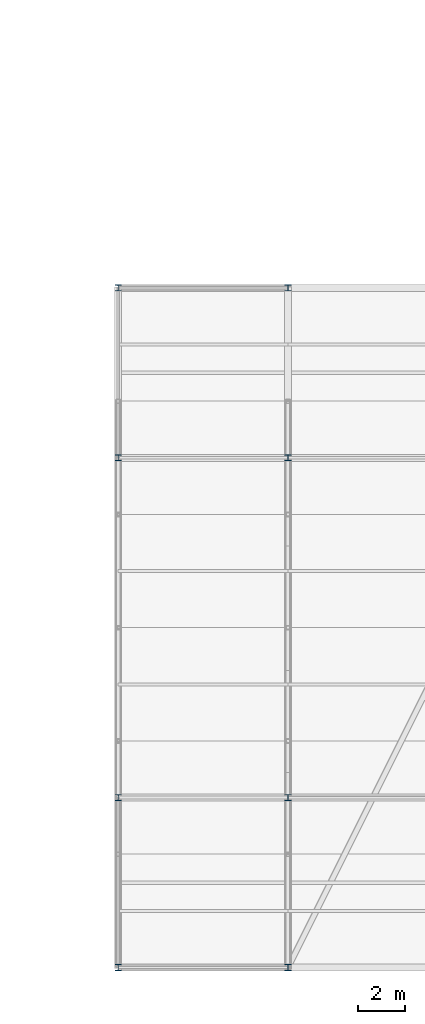
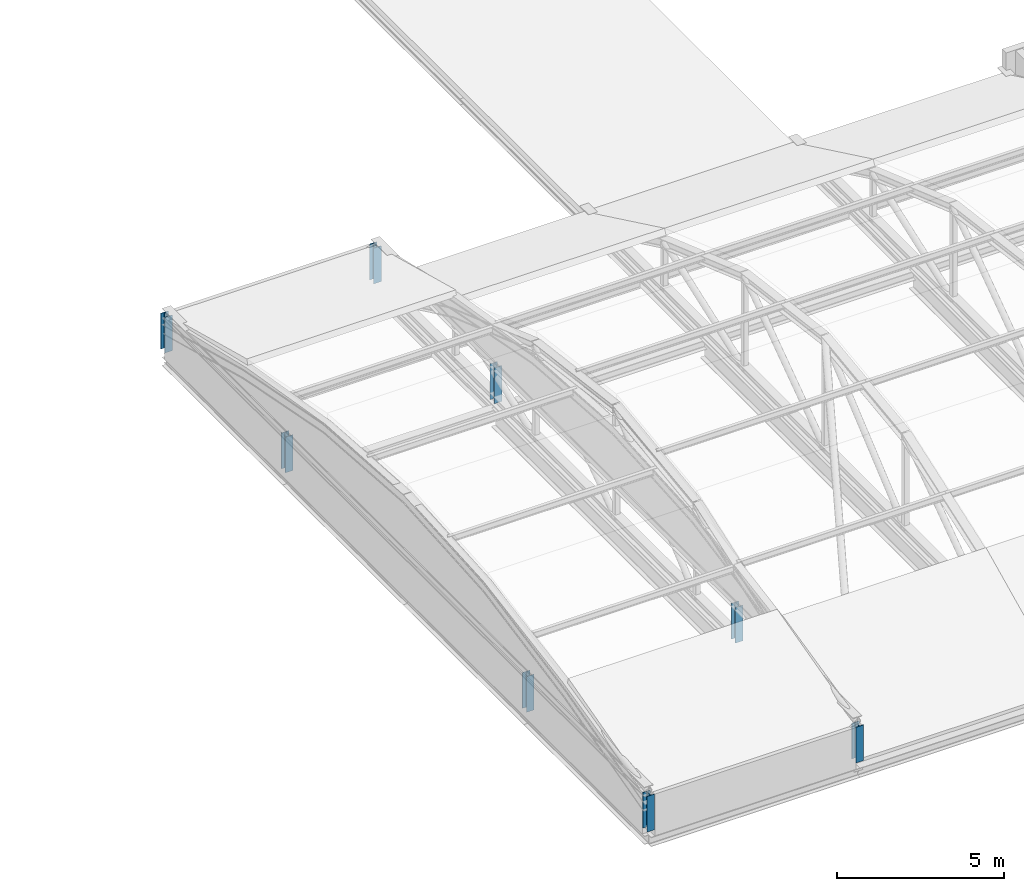
# One storey, part 1 of 103: 8 columns.
"""IFC4 building model written with IfcOpenShell, lengths in metres."""

from ifc_helpers import new_model, si_unit, direction, frame, origin, origin_2d, place, context, subcontext, project, spatial, i_section, extrude, material, material_profile, profile_set, type_object, element, save


model = new_model("IFC4")

# Units and contexts
model_context = context("Model", 3, precision=1e-05, world=origin(), true_north=direction((0.0, 1.0)))
body_context = subcontext(model_context, "Body", "Model", "MODEL_VIEW")
ifc_project = project(units=[si_unit("LENGTHUNIT", "METRE"), si_unit("AREAUNIT", "SQUARE_METRE"), si_unit("VOLUMEUNIT", "CUBIC_METRE"), si_unit("PLANEANGLEUNIT", "RADIAN"), si_unit("MASSUNIT", "GRAM", prefix="KILO")], contexts=[model_context])

# Site, building, storey
site_placement = place(None, origin())
site = spatial("IfcSite", under=ifc_project, at=site_placement, CompositionType="ELEMENT")
building_placement = place(site_placement, origin())
building = spatial("IfcBuilding", under=site, at=building_placement, Name="Zlatovets Crest Museum", CompositionType="ELEMENT")
storey_placement = place(building_placement, frame((0.0, 0.0, 12.89990234375)))
storey = spatial("IfcBuildingStorey", under=building, at=storey_placement, Name="L03", CompositionType="ELEMENT", Elevation=12.89990234375)

# Columns
ifc_material = material(Name="Structural steel S355J2", Category="steel")
ifc_material_profile = material_profile(ifc_material, i_section(OverallWidth=0.260009765625, OverallDepth=0.260009765625, WebThickness=0.010009765625, FlangeThickness=0.017578125, FilletRadius=0.02392578125, at=origin_2d()), Name="HEB 260")
ifc_profile_set = profile_set([ifc_material_profile], Name="Structural steel S355J2")
column_type = type_object("IfcColumnType", Name="Col_C-10", PredefinedType="COLUMN", material=ifc_profile_set)
for number, where, z_axis, x_axis, name in (
    (1, (0.0, 0.0, 0.0), (0.0, 0.0, 1.0), (1.0, 0.0, 0.0), "Auditorium Stage Fly-Loft Column"),
    (2, (0.0, 7.199951171875, 0.0), (0.0, 0.0, 1.0), (1.0, 0.0, 0.0), "Auditorium Stage Fly-Loft Column"),
    (3, (0.0, 21.60009765625, 0.0), (0.0, 0.0, 1.0), (1.0, 0.0, 0.0), "Auditorium Stage Fly-Loft Column"),
    (4, (0.0, 28.800048828125, 0.0), (0.0, 0.0, 1.0), (1.0, 0.0, 0.0), "Auditorium Stage Fly-Loft Column"),
    (5, (7.199951171875, 0.0, 0.0), (0.0, 0.0, 1.0), (1.0, 0.0, 0.0), "Auditorium Stage Fly-Loft Column"),
    (6, (7.199951171875, 7.199951171875, 0.0), (0.0, 0.0, 1.0), (1.0, 0.0, 0.0), "Auditorium Stage Fly-Loft Column"),
    (7, (7.199951171875, 21.60009765625, 0.0), (0.0, 0.0, 1.0), (1.0, 0.0, 0.0), "Auditorium Stage Fly-Loft Column"),
    (8, (7.199951171875, 28.800048828125, 0.0), (0.0, 0.0, 1.0), (1.0, 0.0, 0.0), "Auditorium Stage Fly-Loft Column"),
):
    element("IfcColumn", number, at=place(storey_placement, frame(where, z_axis=z_axis, x_axis=x_axis)), inside=storey, type_object=column_type, Name=name, PredefinedType="COLUMN", context=body_context, shape_type="SweptSolid", body=[
        extrude(i_section(OverallWidth=0.260009765625, OverallDepth=0.260009765625, WebThickness=0.010009765625, FlangeThickness=0.017578125, FilletRadius=0.02392578125, at=origin_2d()), origin(), (0.0, 0.0, 1.0), 1.300048828125),
    ])

save(model, "model.ifc")
